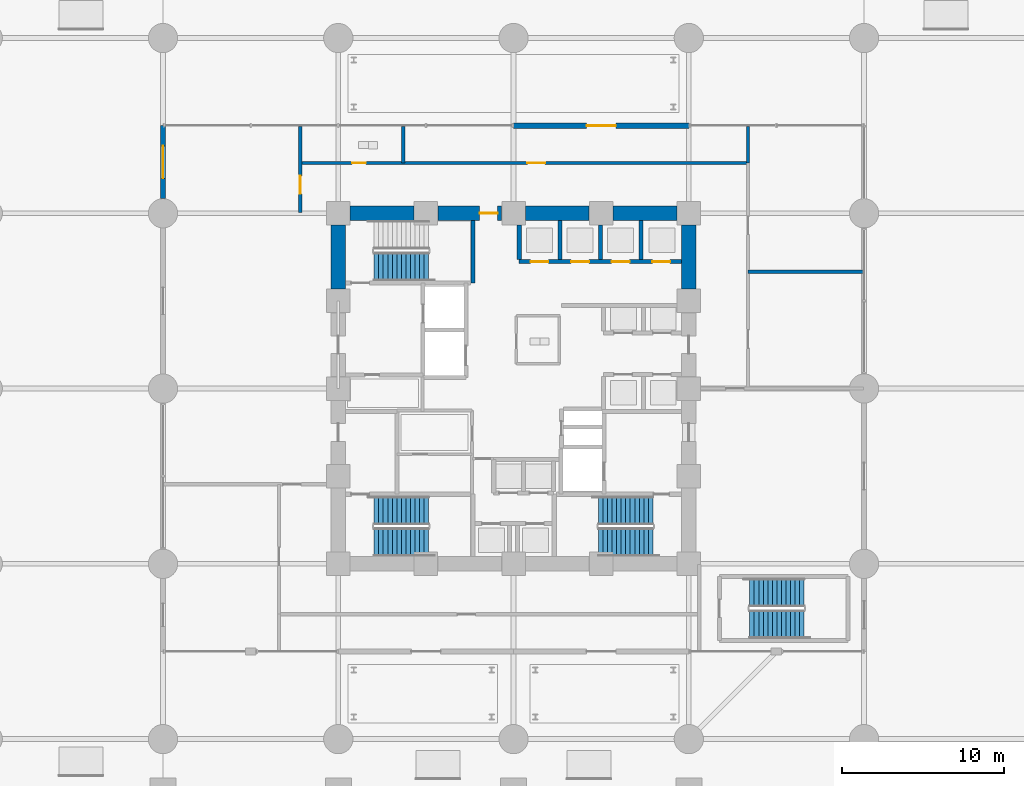
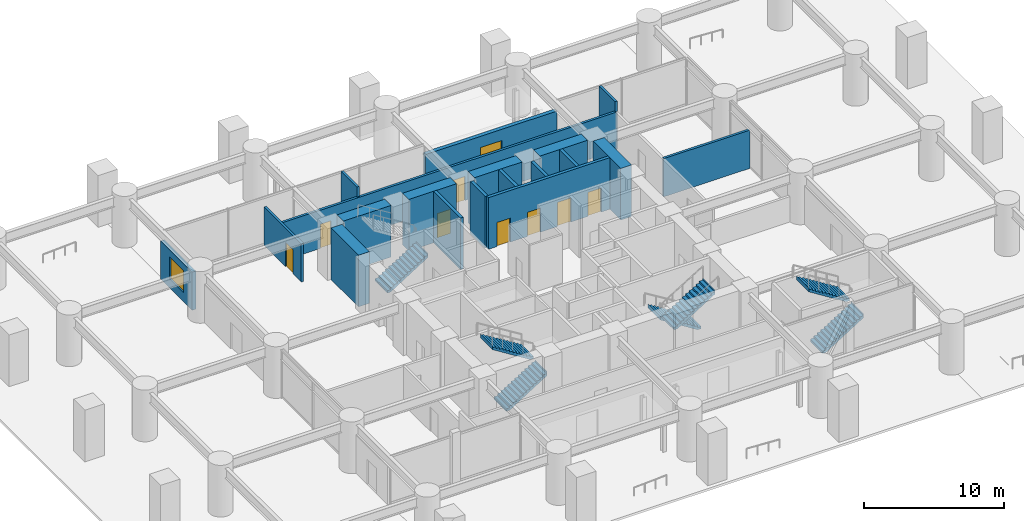
# One storey, part 21 of 29: 19 walls, 9 doors, 7 stair flights, 1 window, 10 openings, 4 elements without a shape of their own.
"""IFC4 building model written with IfcOpenShell, lengths in metres."""

import ifcopenshell
import ifcopenshell.guid

model = None  # the IFC model being written
_history = None  # IfcOwnerHistory: only IFC2X3 demands one
_inside = {}  # id of a spatial element -> (the spatial element, [elements in it])
_under = {}  # id of a project, library or spatial element -> (it, [spatial elements below it])
_declared = {}  # id of a project -> (the project, [libraries it declares])
_typed = {}  # id of a type object -> (the type object, [elements of that type])
_made_of = {}  # id of a material, layer set ... -> (it, [elements and type objects made of it])


def new_model(schema):
    """Start an empty IFC model of exactly this schema.

    Asked for "IFC4X3", IfcOpenShell would pick the latest addendum, in which some entities
    have other attributes; the version numbers below select the first issue.
    IFC2X3 requires an IfcOwnerHistory on every rooted entity: one is made here for all.
    """
    global model, _history
    if schema == "IFC4X3":
        model = ifcopenshell.file(schema_version=(4, 3, 0, 0))
    else:
        model = ifcopenshell.file(schema=schema)
    _inside.clear()
    _under.clear()
    _declared.clear()
    _typed.clear()
    _made_of.clear()
    _history = None
    if model.schema == "IFC2X3":
        org = make("IfcOrganization", Name="unknown")
        user = make(
            "IfcPersonAndOrganization",
            ThePerson=make("IfcPerson", FamilyName="unknown"),
            TheOrganization=org,
        )
        app = make(
            "IfcApplication",
            ApplicationDeveloper=org,
            Version="unknown",
            ApplicationFullName="unknown",
            ApplicationIdentifier="unknown",
        )
        _history = make(
            "IfcOwnerHistory",
            OwningUser=user,
            OwningApplication=app,
            ChangeAction="ADDED",
            CreationDate=0,
        )
    return model


def make(cls, **values):
    """One entity of the class cls with the attributes given. An attribute that is None is left unset."""
    return model.create_entity(
        cls, **{name: value for name, value in values.items() if value is not None}
    )


def rooted(cls, **values):
    """An entity with a GlobalId (a new one), such as an element, a storey or a relation."""
    return make(cls, GlobalId=ifcopenshell.guid.new(), OwnerHistory=_history, **values)


def si_unit(unit_type, name, prefix=None):
    """IfcSIUnit, for example si_unit("LENGTHUNIT", "METRE", prefix="MILLI")."""
    return make("IfcSIUnit", UnitType=unit_type, Prefix=prefix, Name=name)


def assignment(units):
    """IfcUnitAssignment: the units of a project."""
    return None if units is None else make("IfcUnitAssignment", Units=units)


def point(xyz):
    """IfcCartesianPoint."""
    return None if xyz is None else make("IfcCartesianPoint", Coordinates=xyz)


def direction(xyz):
    """IfcDirection."""
    return None if xyz is None else make("IfcDirection", DirectionRatios=xyz)


def frame(location, z_axis=None, x_axis=None):
    """IfcAxis2Placement3D, a coordinate frame: its origin and axes. An axis left out is left unset."""
    return make(
        "IfcAxis2Placement3D",
        Location=point(location),
        Axis=direction(z_axis),
        RefDirection=direction(x_axis),
    )


def frame_2d(location, x_axis=None):
    """IfcAxis2Placement2D, a coordinate frame in the plane: its origin and x axis."""
    return make(
        "IfcAxis2Placement2D", Location=point(location), RefDirection=direction(x_axis)
    )


def origin():
    """The frame at (0, 0, 0) with its axes left unset."""
    return frame((0.0, 0.0, 0.0))


def place(relative_to, where):
    """IfcLocalPlacement: puts the frame where relative to a parent placement (None: the world)."""
    return make(
        "IfcLocalPlacement", PlacementRelTo=relative_to, RelativePlacement=where
    )


def context(
    kind, dimensions, precision=None, world=None, true_north=None, identifier=None
):
    """IfcGeometricRepresentationContext, for example the 3D "Model" context."""
    return make(
        "IfcGeometricRepresentationContext",
        ContextIdentifier=identifier,
        ContextType=kind,
        CoordinateSpaceDimension=dimensions,
        Precision=precision,
        WorldCoordinateSystem=world,
        TrueNorth=true_north,
    )


def subcontext(parent, identifier, kind, view, scale=None):
    """IfcGeometricRepresentationSubContext, for example "Body" below "Model"."""
    return make(
        "IfcGeometricRepresentationSubContext",
        ContextIdentifier=identifier,
        ContextType=kind,
        ParentContext=parent,
        TargetScale=scale,
        TargetView=view,
    )


def project(units=None, contexts=None):
    """IfcProject with its units and contexts."""
    return rooted(
        "IfcProject",
        Name="project",
        RepresentationContexts=contexts,
        UnitsInContext=assignment(units),
    )


def spatial(cls, under=None, at=None, **own):
    """A site, building, storey or space (cls), placed at a placement, below another one or the project."""
    s = rooted(cls, ObjectPlacement=at, **own)
    if under is not None:
        _under.setdefault(under.id(), (under, []))[1].append(s)
    return s


def polyline(points):
    """IfcPolyline through the points."""
    return make("IfcPolyline", Points=[point(p) for p in points])


def profile(cls, at=None, kind="AREA", **sizes):
    """A parametric profile (cls). Its sizes go by their IFC names, for example OverallWidth=200.0."""
    return make(cls, ProfileType=kind, Position=at, **sizes)


def rectangle(**sizes):
    """IfcRectangleProfileDef."""
    return profile("IfcRectangleProfileDef", **sizes)


def outline(outer, holes=None, kind="AREA"):
    """IfcArbitraryClosedProfileDef: a profile drawn as a closed curve; with holes, ...WithVoids."""
    if holes is None:
        return make("IfcArbitraryClosedProfileDef", ProfileType=kind, OuterCurve=outer)
    return make(
        "IfcArbitraryProfileDefWithVoids",
        ProfileType=kind,
        OuterCurve=outer,
        InnerCurves=holes,
    )


def extrude(swept, where, along, depth):
    """IfcExtrudedAreaSolid: the profile swept, set in the frame where, extruded along a direction by depth."""
    return make(
        "IfcExtrudedAreaSolid",
        SweptArea=swept,
        Position=where,
        ExtrudedDirection=direction(along),
        Depth=depth,
    )


def shape(context_of_items, identifier, shape_type, items):
    """IfcShapeRepresentation: the items that make up one representation, for example the "Body"."""
    return make(
        "IfcShapeRepresentation",
        ContextOfItems=context_of_items,
        RepresentationIdentifier=identifier,
        RepresentationType=shape_type,
        Items=items,
    )


def material(Name=None, Category=None):
    """IfcMaterial."""
    return make("IfcMaterial", Name=Name, Category=Category)


def layer(
    of_material, thickness, ventilated=None, Name=None, Category=None, Priority=None
):
    """IfcMaterialLayer: one layer of a wall or slab, of a material (None: an air gap)."""
    return make(
        "IfcMaterialLayer",
        Material=of_material,
        LayerThickness=thickness,
        IsVentilated=ventilated,
        Name=Name,
        Category=Category,
        Priority=Priority,
    )


def layer_set(layers, Name=None):
    """IfcMaterialLayerSet."""
    return make("IfcMaterialLayerSet", MaterialLayers=layers, LayerSetName=Name)


def made_of(thing, what):
    """Note that an element or type object is made of a material, layer set ...; save() writes the relation."""
    if what is not None:
        _made_of.setdefault(what.id(), (what, []))[1].append(thing)
    return thing


def type_object(cls, material=None, **own):
    """A type object (cls), such as IfcWallType, which elements share."""
    return made_of(rooted(cls, **own), material)


def element(
    cls,
    number,
    at=None,
    inside=None,
    cuts=None,
    type_object=None,
    material=None,
    context=None,
    identifier="Body",
    shape_type=None,
    held_by="IfcProductDefinitionShape",
    body=None,
    shapes=None,
    **own,
):
    """One element of the class cls, such as IfcWall. Its Tag is "e" and its number.

    at: its placement. inside: the storey or other place that contains it. cuts: it is an
    opening in that element (IfcRelVoidsElement). A single representation is given by context,
    identifier, shape_type and body (its items); several are given by shapes. held_by: the class
    of the entity that holds the representations. save() writes the other relations.
    """
    e = rooted(cls, Tag="e%d" % number, ObjectPlacement=at, **own)
    if body is not None:
        shapes = [shape(context, identifier, shape_type, body)]
    if shapes is not None:
        e.Representation = make(held_by, Representations=shapes)
    if inside is not None:
        _inside.setdefault(inside.id(), (inside, []))[1].append(e)
    if cuts is not None:
        rooted(
            "IfcRelVoidsElement", RelatingBuildingElement=cuts, RelatedOpeningElement=e
        )
    if type_object is not None:
        _typed.setdefault(type_object.id(), (type_object, []))[1].append(e)
    return made_of(e, material)


def fill(opening, filler):
    """IfcRelFillsElement: the door or window that sits in an opening."""
    return rooted(
        "IfcRelFillsElement",
        RelatingOpeningElement=opening,
        RelatedBuildingElement=filler,
    )


def aggregate(whole, parts):
    """IfcRelAggregates: a whole, such as a stair, and the parts it consists of."""
    return rooted("IfcRelAggregates", RelatingObject=whole, RelatedObjects=parts)


def save(model, path):
    """Write the relations noted so far, then the file.

    IfcRelAggregates (storeys below a building ...), IfcRelContainedInSpatialStructure (elements
    in a storey), IfcRelDefinesByType, IfcRelAssociatesMaterial and IfcRelDeclares: one each for
    every whole, place, type object, material and project.
    """
    for whole, parts in _under.values():
        aggregate(whole, parts)
    for where, things in _inside.values():
        rooted(
            "IfcRelContainedInSpatialStructure",
            RelatedElements=things,
            RelatingStructure=where,
        )
    for kind, things in _typed.values():
        rooted("IfcRelDefinesByType", RelatedObjects=things, RelatingType=kind)
    for what, things in _made_of.values():
        rooted("IfcRelAssociatesMaterial", RelatedObjects=things, RelatingMaterial=what)
    for by, libraries in _declared.values():
        rooted("IfcRelDeclares", RelatingContext=by, RelatedDefinitions=libraries)
    model.write(path)


model = new_model("IFC4")

# Units and contexts
model_context = context("Model", 3, precision=1e-05, world=origin(), true_north=direction((0.0, 1.0)))
body_context = subcontext(model_context, "Body", "Model", "MODEL_VIEW")
ifc_project = project(units=[si_unit("LENGTHUNIT", "METRE"), si_unit("AREAUNIT", "SQUARE_METRE"), si_unit("VOLUMEUNIT", "CUBIC_METRE"), si_unit("PLANEANGLEUNIT", "RADIAN"), si_unit("MASSUNIT", "GRAM", prefix="KILO")], contexts=[model_context])

# Site, building, storey
site_placement = place(None, origin())
site = spatial("IfcSite", under=ifc_project, at=site_placement, CompositionType="ELEMENT")
building_placement = place(site_placement, origin())
building = spatial("IfcBuilding", under=site, at=building_placement, Name="Surkhivell Harbour Commons", CompositionType="ELEMENT")
storey_placement = place(building_placement, origin())
storey = spatial("IfcBuildingStorey", under=building, at=storey_placement, Name="L00", CompositionType="ELEMENT", Elevation=0.0)

# Wall
ifc_material_1 = material(Name="Concrete C80/95", Category="concrete")
ifc_layer_1 = layer(ifc_material_1, 0.89990234375)
ifc_layer_set_1 = layer_set([ifc_layer_1], Name="Concrete C80/95")
wall_type_1 = type_object("IfcWallType", Name="WAL-CORE-900", PredefinedType="SHEAR", material=ifc_layer_set_1)
wall_1_placement = place(storey_placement, frame((-10.06494140625, 10.800048828125, 0.0), z_axis=(0.0, 0.0, 1.0), x_axis=(1.0, 0.0, 0.0)))
element("IfcWall", 1, at=wall_1_placement, inside=storey, type_object=wall_type_1, Name="L00 Core Shear Wall North 1", PredefinedType="SHEAR", context=body_context, shape_type="SweptSolid", body=[
    extrude(rectangle(XDim=3.929931640625, YDim=0.89990234375, at=frame_2d((1.96484375, 0.0))), origin(), (0.0, 0.0, 1.0), 4.5),
])

# Wall, opening, door
wall_2_placement = place(storey_placement, frame((-4.6650390625, 10.800048828125, 0.0), z_axis=(0.0, 0.0, 1.0), x_axis=(1.0, 0.0, 0.0)))
wall_2 = element("IfcWall", 2, at=wall_2_placement, inside=storey, type_object=wall_type_1, Name="L00 Core Shear Wall North 2", PredefinedType="SHEAR", context=body_context, shape_type="SweptSolid", body=[
    extrude(rectangle(XDim=3.929931640625, YDim=0.89990234375, at=frame_2d((1.96484375, 0.0))), origin(), (0.0, 0.0, 1.0), 4.5),
])
opening_1_placement = place(wall_2_placement, frame((2.580078125, 0.0, 0.0)))
opening_1 = element("IfcOpeningElement", 3, at=opening_1_placement, cuts=wall_2, Name="Opening ID-2", PredefinedType="OPENING", context=body_context, shape_type="SweptSolid", body=[
    extrude(rectangle(XDim=1.10009765625, YDim=2.10009765625, at=frame_2d((0.550048828125, 1.050048828125))), frame((0.0, 0.4599609375, 0.0), z_axis=(0.0, -1.0, 0.0), x_axis=(1.0, 0.0, 0.0)), (0.0, 0.0, 1.0), 0.919921875),
])
ifc_material_2 = material(Name="Hardwood-veneered fire-rated door leaf", Category="wood")
door_type_1 = type_object("IfcDoorType", Name="DOR-FD60-1100", OperationType="NOTDEFINED", PredefinedType="DOOR", material=ifc_material_2)
door_1_placement = place(opening_1_placement, origin())
door_1 = element("IfcDoor", 4, at=door_1_placement, inside=storey, type_object=door_type_1, Name="L00 Central Core Lift Hall North Corridor Door", OperationType="SINGLE_SWING_LEFT", OverallHeight=2.10009765625, OverallWidth=1.10009765625, PredefinedType="DOOR", context=body_context, shape_type="SweptSolid", body=[
    extrude(rectangle(XDim=1.10009765625, YDim=2.10009765625, at=frame_2d((0.550048828125, 1.050048828125))), frame((0.0, 0.02490234375, 0.0), z_axis=(0.0, -1.0, 0.0), x_axis=(1.0, 0.0, 0.0)), (0.0, 0.0, 1.0), 0.050048828125),
])
fill(opening_1, door_1)

# Walls
for number, where, z_axis, x_axis, name in (
    (5, (0.735107421875, 10.800048828125, 0.0), (0.0, 0.0, 1.0), (1.0, 0.0, 0.0), "L00 Core Shear Wall North 3"),
    (6, (6.135009765625, 10.800048828125, 0.0), (0.0, 0.0, 1.0), (1.0, 0.0, 0.0), "L00 Core Shear Wall North 4"),
    (7, (-10.800048828125, 6.135009765625, 0.0), (0.0, 0.0, 1.0), (0.0, 1.0, 0.0), "L00 Core Shear Wall West 4"),
    (8, (10.800048828125, 6.135009765625, 0.0), (0.0, 0.0, 1.0), (0.0, 1.0, 0.0), "L00 Core Shear Wall East 4"),
):
    element("IfcWall", number, at=place(storey_placement, frame(where, z_axis=z_axis, x_axis=x_axis)), inside=storey, type_object=wall_type_1, Name=name, PredefinedType="SHEAR", context=body_context, shape_type="SweptSolid", body=[
        extrude(rectangle(XDim=3.929931640625, YDim=0.89990234375, at=frame_2d((1.96484375, 0.0))), origin(), (0.0, 0.0, 1.0), 4.5),
    ])

# Wall, opening, window
ifc_material_3 = material(Name="Flemish-bond kiln brick and precast concrete C45/55", Category="masonry")
ifc_layer_2 = layer(ifc_material_3, 0.300048828125)
ifc_layer_set_2 = layer_set([ifc_layer_2], Name="Flemish-bond kiln brick and precast concrete C45/55")
wall_type_2 = type_object("IfcWallType", Name="WAL-EXT-BRK300", PredefinedType="STANDARD", material=ifc_layer_set_2)
wall_3_placement = place(storey_placement, frame((-21.60009765625, 11.697998046875, 0.0), z_axis=(0.0, 0.0, 1.0), x_axis=(0.0, 1.0, 0.0)))
wall_3 = element("IfcWall", 9, at=wall_3_placement, inside=storey, type_object=wall_type_2, Name="L00 Corner Brick Pier Wall WW1", PredefinedType="STANDARD", context=body_context, shape_type="SweptSolid", body=[
    extrude(rectangle(XDim=4.501953125, YDim=0.300048828125, at=frame_2d((2.2509765625, 0.0))), origin(), (0.0, 0.0, 1.0), 3.3291015625),
])
opening_2_placement = place(wall_3_placement, frame((1.2509765625, 0.0, 0.800048828125)))
opening_2 = element("IfcOpeningElement", 10, at=opening_2_placement, cuts=wall_3, Name="Opening WN-06", PredefinedType="OPENING", context=body_context, shape_type="SweptSolid", body=[
    extrude(rectangle(XDim=2.0, YDim=1.89990234375, at=frame_2d((1.0, 0.949951171875))), frame((0.0, 0.159912109375, 0.0), z_axis=(0.0, -1.0, 0.0), x_axis=(1.0, 0.0, 0.0)), (0.0, 0.0, 1.0), 0.320068359375),
])
ifc_material_4 = material(Name="Thermal-break aluminium frame and double low-E glazing", Category="aluminium")
window_type = type_object("IfcWindowType", Name="WIN-CON-2000x1900", PartitioningType="DOUBLE_PANEL_VERTICAL", PredefinedType="WINDOW", material=ifc_material_4)
window_placement = place(opening_2_placement, origin())
window = element("IfcWindow", 11, at=window_placement, inside=storey, type_object=window_type, Name="L00 Concourse Window WW1", OverallHeight=1.89990234375, OverallWidth=2.0, PartitioningType="SINGLE_PANEL", PredefinedType="WINDOW", context=body_context, shape_type="SweptSolid", body=[
    extrude(rectangle(XDim=2.0, YDim=1.89990234375, at=frame_2d((1.0, 0.949951171875))), frame((0.0, 0.030029296875, 0.0), z_axis=(0.0, -1.0, 0.0), x_axis=(1.0, 0.0, 0.0)), (0.0, 0.0, 1.0), 0.06005859375),
])
fill(opening_2, window)

# Wall, opening, door
ifc_material_5 = material(Name="Kiln-fired surkhi brick and precast concrete C45/55", Category="masonry")
ifc_layer_3 = layer(ifc_material_5, 0.320068359375)
ifc_layer_set_3 = layer_set([ifc_layer_3], Name="Kiln-fired surkhi brick and precast concrete C45/55")
wall_type_3 = type_object("IfcWallType", Name="WAL-EXT-BRK320", PredefinedType="STANDARD", material=ifc_layer_set_3)
wall_4_placement = place(storey_placement, frame((0.0, 16.199951171875, 0.0), z_axis=(0.0, 0.0, 1.0), x_axis=(1.0, 0.0, 0.0)))
wall_4 = element("IfcWall", 12, at=wall_4_placement, inside=storey, type_object=wall_type_3, Name="L00 Concourse Brick Facade Wall L00-EXN1", PredefinedType="STANDARD", context=body_context, shape_type="SweptSolid", body=[
    extrude(rectangle(XDim=10.800048828125, YDim=0.320068359375, at=frame_2d((5.39990234375, 0.0))), origin(), (0.0, 0.0, 1.0), 3.3291015625),
])
opening_3_placement = place(wall_4_placement, frame((4.5, 0.0, 0.0)))
opening_3 = element("IfcOpeningElement", 13, at=opening_3_placement, cuts=wall_4, Name="Opening ED-1", PredefinedType="OPENING", context=body_context, shape_type="SweptSolid", body=[
    extrude(rectangle(XDim=1.800048828125, YDim=2.35009765625, at=frame_2d((0.89990234375, 1.175048828125))), frame((0.0, 0.169921875, 0.0), z_axis=(0.0, -1.0, 0.0), x_axis=(1.0, 0.0, 0.0)), (0.0, 0.0, 1.0), 0.340087890625),
])
ifc_material_6 = material(Name="Anodised pale-metal aluminium and laminated safety glass", Category="aluminium")
door_type_2 = type_object("IfcDoorType", Name="DOR-EXT-EXIT1800", OperationType="DOUBLE_DOOR_SINGLE_SWING", PredefinedType="DOOR", material=ifc_material_6)
door_2_placement = place(opening_3_placement, origin())
door_2 = element("IfcDoor", 14, at=door_2_placement, inside=storey, type_object=door_type_2, Name="L00 North Promenade Final Exit Door", OperationType="DOUBLE_DOOR_SINGLE_SWING", OverallHeight=2.35009765625, OverallWidth=1.800048828125, PredefinedType="DOOR", context=body_context, shape_type="SweptSolid", body=[
    extrude(rectangle(XDim=1.800048828125, YDim=2.35009765625, at=frame_2d((0.89990234375, 1.175048828125))), frame((0.0, 0.02490234375, 0.0), z_axis=(0.0, -1.0, 0.0), x_axis=(1.0, 0.0, 0.0)), (0.0, 0.0, 1.0), 0.050048828125),
])
fill(opening_3, door_2)

# Wall
ifc_material_7 = material(Name="Autoclaved aerated concrete blockwork and fire plaster", Category="masonry")
ifc_layer_4 = layer(ifc_material_7, 0.199951171875)
ifc_layer_set_4 = layer_set([ifc_layer_4], Name="Autoclaved aerated concrete blockwork and fire plaster")
wall_type_4 = type_object("IfcWallType", Name="WAL-INT-200", PredefinedType="PARTITIONING", material=ifc_layer_set_4)
wall_5_placement = place(storey_placement, frame((14.449951171875, 7.199951171875, 0.0), z_axis=(0.0, 0.0, 1.0), x_axis=(1.0, 0.0, 0.0)))
element("IfcWall", 15, at=wall_5_placement, inside=storey, type_object=wall_type_4, Name="L00 FCC/Concierge Divider", PredefinedType="PARTITIONING", context=body_context, shape_type="SweptSolid", body=[
    extrude(rectangle(XDim=7.110107421875, YDim=0.199951171875, at=frame_2d((3.55517578125, 0.0))), origin(), (0.0, 0.0, 1.0), 3.3291015625),
])

# Wall, opening, door
wall_6_placement = place(storey_placement, frame((-13.14990234375, 10.85009765625, 0.0), z_axis=(0.0, 0.0, 1.0), x_axis=(0.0, 1.0, 0.0)))
wall_6 = element("IfcWall", 16, at=wall_6_placement, inside=storey, type_object=wall_type_4, Name="L00 West Protected Exit Passage East Wall", PredefinedType="PARTITIONING", context=body_context, shape_type="SweptSolid", body=[
    extrude(rectangle(XDim=5.309814453125, YDim=0.199951171875, at=frame_2d((2.65478515625, 0.0))), origin(), (0.0, 0.0, 1.0), 3.3291015625),
])
opening_4_placement = place(wall_6_placement, frame((1.14990234375, 0.0, 0.0)))
opening_4 = element("IfcOpeningElement", 17, at=opening_4_placement, cuts=wall_6, Name="Opening ID-2", PredefinedType="OPENING", context=body_context, shape_type="SweptSolid", body=[
    extrude(rectangle(XDim=1.10009765625, YDim=2.10009765625, at=frame_2d((0.550048828125, 1.050048828125))), frame((0.0, 0.10986328125, 0.0), z_axis=(0.0, -1.0, 0.0), x_axis=(1.0, 0.0, 0.0)), (0.0, 0.0, 1.0), 0.219970703125),
])
door_3_placement = place(opening_4_placement, origin())
door_3 = element("IfcDoor", 18, at=door_3_placement, inside=storey, type_object=door_type_1, Name="L00 West Exit Passage North Cross Door", OperationType="SINGLE_SWING_RIGHT", OverallHeight=2.10009765625, OverallWidth=1.10009765625, PredefinedType="DOOR", context=body_context, shape_type="SweptSolid", body=[
    extrude(rectangle(XDim=1.10009765625, YDim=2.10009765625, at=frame_2d((0.550048828125, 1.050048828125))), frame((0.0, 0.02490234375, 0.0), z_axis=(0.0, -1.0, 0.0), x_axis=(1.0, 0.0, 0.0)), (0.0, 0.0, 1.0), 0.050048828125),
])
fill(opening_4, door_3)

# Walls
for number, where, z_axis, x_axis, name in (
    (19, (-6.800048828125, 13.89990234375, 0.0), (0.0, 0.0, 1.0), (0.0, 1.0, 0.0), "L00 Ground WC East Wall"),
    (20, (14.449951171875, 13.89990234375, 0.0), (0.0, 0.0, 1.0), (0.0, 1.0, 0.0), "L00 Ground NE Corner Wall"),
):
    element("IfcWall", number, at=place(storey_placement, frame(where, z_axis=z_axis, x_axis=x_axis)), inside=storey, type_object=wall_type_4, Name=name, PredefinedType="PARTITIONING", context=body_context, shape_type="SweptSolid", body=[
        extrude(rectangle(XDim=2.260009765625, YDim=0.199951171875, at=frame_2d((1.1298828125, 0.0))), origin(), (0.0, 0.0, 1.0), 4.199951171875),
    ])

# Wall, openings, doors
wall_7_placement = place(storey_placement, frame((-13.14990234375, 13.89990234375, 0.0), z_axis=(0.0, 0.0, 1.0), x_axis=(1.0, 0.0, 0.0)))
wall_7 = element("IfcWall", 21, at=wall_7_placement, inside=storey, type_object=wall_type_4, Name="L00 Concourse North Wall", PredefinedType="PARTITIONING", context=body_context, shape_type="SweptSolid", body=[
    extrude(rectangle(XDim=27.599853515625, YDim=0.199951171875, at=frame_2d((13.7998046875, 0.0))), origin(), (0.0, 0.0, 1.0), 3.3291015625),
])
opening_5_placement = place(wall_7_placement, frame((3.199951171875, 0.0, 0.0)))
opening_5 = element("IfcOpeningElement", 22, at=opening_5_placement, cuts=wall_7, Name="Opening ID-6", PredefinedType="OPENING", context=body_context, shape_type="SweptSolid", body=[
    extrude(rectangle(XDim=0.85009765625, YDim=2.10009765625, at=frame_2d((0.425048828125, 1.050048828125))), frame((0.0, 0.10986328125, 0.0), z_axis=(0.0, -1.0, 0.0), x_axis=(1.0, 0.0, 0.0)), (0.0, 0.0, 1.0), 0.219970703125),
])
opening_6_placement = place(wall_7_placement, frame((14.0, 0.0, 0.0)))
opening_6 = element("IfcOpeningElement", 23, at=opening_6_placement, cuts=wall_7, Name="Opening ID-2", PredefinedType="OPENING", context=body_context, shape_type="SweptSolid", body=[
    extrude(rectangle(XDim=1.10009765625, YDim=2.10009765625, at=frame_2d((0.550048828125, 1.050048828125))), frame((0.0, 0.10986328125, 0.0), z_axis=(0.0, -1.0, 0.0), x_axis=(1.0, 0.0, 0.0)), (0.0, 0.0, 1.0), 0.219970703125),
])
door_type_3 = type_object("IfcDoorType", Name="DOR-FD30-850", OperationType="NOTDEFINED", PredefinedType="DOOR", material=ifc_material_2)
door_4_placement = place(opening_5_placement, origin())
door_4 = element("IfcDoor", 24, at=door_4_placement, inside=storey, type_object=door_type_3, Name="L00 Ground Floor Accessible WC Door", OperationType="SINGLE_SWING_RIGHT", OverallHeight=2.10009765625, OverallWidth=0.85009765625, PredefinedType="DOOR", context=body_context, shape_type="SweptSolid", body=[
    extrude(rectangle(XDim=0.85009765625, YDim=2.10009765625, at=frame_2d((0.425048828125, 1.050048828125))), frame((0.0, 0.02490234375, 0.0), z_axis=(0.0, -1.0, 0.0), x_axis=(1.0, 0.0, 0.0)), (0.0, 0.0, 1.0), 0.050048828125),
])
fill(opening_5, door_4)
door_5_placement = place(opening_6_placement, origin())
door_5 = element("IfcDoor", 25, at=door_5_placement, inside=storey, type_object=door_type_1, Name="L00 Arrival Waiting Lounge Door", OperationType="SINGLE_SWING_LEFT", OverallHeight=2.10009765625, OverallWidth=1.10009765625, PredefinedType="DOOR", context=body_context, shape_type="SweptSolid", body=[
    extrude(rectangle(XDim=1.10009765625, YDim=2.10009765625, at=frame_2d((0.550048828125, 1.050048828125))), frame((0.0, 0.02490234375, 0.0), z_axis=(0.0, -1.0, 0.0), x_axis=(1.0, 0.0, 0.0)), (0.0, 0.0, 1.0), 0.050048828125),
])
fill(opening_6, door_5)

# Walls
ifc_material_8 = material(Name="Concrete C50/60", Category="concrete")
ifc_layer_5 = layer(ifc_material_8, 0.25)
ifc_layer_set_5 = layer_set([ifc_layer_5], Name="Concrete C50/60")
wall_type_5 = type_object("IfcWallType", Name="WAL-SHAFT-250", PredefinedType="SHEAR", material=ifc_layer_set_5)
wall_8_placement = place(storey_placement, frame((2.85009765625, 7.93994140625, 0.0), z_axis=(0.0, 0.0, 1.0), x_axis=(0.0, 1.0, 0.0)))
element("IfcWall", 26, at=wall_8_placement, inside=storey, type_object=wall_type_5, Name="L00 Low-Rise Hoistway Wall", PredefinedType="SHEAR", context=body_context, shape_type="SweptSolid", body=[
    extrude(rectangle(XDim=2.41015625, YDim=0.25, at=frame_2d((1.205078125, 0.0))), origin(), (0.0, 0.0, 1.0), 4.5),
])
for number, where, z_axis, x_axis, name in (
    (27, (0.35009765625, 7.93994140625, 0.0), (0.0, 0.0, 1.0), (0.0, 1.0, 0.0), "L00 Low-Rise Hoistway Wall"),
    (28, (5.35009765625, 7.93994140625, 0.0), (0.0, 0.0, 1.0), (0.0, 1.0, 0.0), "L00 Low-Rise Hoistway Wall"),
):
    element("IfcWall", number, at=place(storey_placement, frame(where, z_axis=z_axis, x_axis=x_axis)), inside=storey, type_object=wall_type_5, Name=name, PredefinedType="SHEAR", context=body_context, shape_type="SweptSolid", body=[
        extrude(rectangle(XDim=2.135009765625, YDim=0.25, at=frame_2d((1.0673828125, 0.0))), origin(), (0.0, 0.0, 1.0), 4.5),
    ])
wall_9_placement = place(storey_placement, frame((7.85009765625, 7.93994140625, 0.0), z_axis=(0.0, 0.0, 1.0), x_axis=(0.0, 1.0, 0.0)))
element("IfcWall", 29, at=wall_9_placement, inside=storey, type_object=wall_type_5, Name="L00 Low-Rise Hoistway Wall", PredefinedType="SHEAR", context=body_context, shape_type="SweptSolid", body=[
    extrude(rectangle(XDim=2.41015625, YDim=0.25, at=frame_2d((1.205078125, 0.0))), origin(), (0.0, 0.0, 1.0), 4.5),
])

# Wall, openings, doors
wall_10_placement = place(storey_placement, frame((0.35009765625, 7.820068359375, 0.0), z_axis=(0.0, 0.0, 1.0), x_axis=(1.0, 0.0, 0.0)))
wall_10 = element("IfcWall", 30, at=wall_10_placement, inside=storey, type_object=wall_type_5, Name="L00 Low-Rise Lift Front Shaft Wall", PredefinedType="SHEAR", context=body_context, shape_type="SweptSolid", body=[
    extrude(rectangle(XDim=10.0, YDim=0.25, at=frame_2d((5.0, 0.0))), origin(), (0.0, 0.0, 1.0), 4.5),
])
opening_7_placement = place(wall_10_placement, frame((0.699951171875, 0.0, 0.0)))
opening_7 = element("IfcOpeningElement", 31, at=opening_7_placement, cuts=wall_10, Name="Opening LD-1", PredefinedType="OPENING", context=body_context, shape_type="SweptSolid", body=[
    extrude(rectangle(XDim=1.10009765625, YDim=2.10009765625, at=frame_2d((0.550048828125, 1.050048828125))), frame((0.0, 0.135009765625, 0.0), z_axis=(0.0, -1.0, 0.0), x_axis=(1.0, 0.0, 0.0)), (0.0, 0.0, 1.0), 0.27001953125),
])
opening_8_placement = place(wall_10_placement, frame((3.199951171875, 0.0, 0.0)))
opening_8 = element("IfcOpeningElement", 32, at=opening_8_placement, cuts=wall_10, Name="Opening LD-1", PredefinedType="OPENING", context=body_context, shape_type="SweptSolid", body=[
    extrude(rectangle(XDim=1.10009765625, YDim=2.10009765625, at=frame_2d((0.550048828125, 1.050048828125))), frame((0.0, 0.135009765625, 0.0), z_axis=(0.0, -1.0, 0.0), x_axis=(1.0, 0.0, 0.0)), (0.0, 0.0, 1.0), 0.27001953125),
])
opening_9_placement = place(wall_10_placement, frame((5.699951171875, 0.0, 0.0)))
opening_9 = element("IfcOpeningElement", 33, at=opening_9_placement, cuts=wall_10, Name="Opening LD-1", PredefinedType="OPENING", context=body_context, shape_type="SweptSolid", body=[
    extrude(rectangle(XDim=1.10009765625, YDim=2.10009765625, at=frame_2d((0.550048828125, 1.050048828125))), frame((0.0, 0.135009765625, 0.0), z_axis=(0.0, -1.0, 0.0), x_axis=(1.0, 0.0, 0.0)), (0.0, 0.0, 1.0), 0.27001953125),
])
opening_10_placement = place(wall_10_placement, frame((8.199951171875, 0.0, 0.0)))
opening_10 = element("IfcOpeningElement", 34, at=opening_10_placement, cuts=wall_10, Name="Opening LD-1", PredefinedType="OPENING", context=body_context, shape_type="SweptSolid", body=[
    extrude(rectangle(XDim=1.10009765625, YDim=2.10009765625, at=frame_2d((0.550048828125, 1.050048828125))), frame((0.0, 0.135009765625, 0.0), z_axis=(0.0, -1.0, 0.0), x_axis=(1.0, 0.0, 0.0)), (0.0, 0.0, 1.0), 0.27001953125),
])
ifc_material_9 = material(Name="Brushed stainless steel S355", Category="steel")
door_type_4 = type_object("IfcDoorType", Name="DOR-LD-1100", OperationType="SLIDING_TO_LEFT", PredefinedType="DOOR", material=ifc_material_9)
door_6_placement = place(opening_7_placement, origin())
door_6 = element("IfcDoor", 35, at=door_6_placement, inside=storey, type_object=door_type_4, Name="L00 Lift Landing Door LD-PL1", OperationType="SLIDING_TO_LEFT", OverallHeight=2.10009765625, OverallWidth=1.10009765625, PredefinedType="DOOR", context=body_context, shape_type="SweptSolid", body=[
    extrude(rectangle(XDim=1.10009765625, YDim=2.10009765625, at=frame_2d((0.550048828125, 1.050048828125))), frame((0.0, 0.02490234375, 0.0), z_axis=(0.0, -1.0, 0.0), x_axis=(1.0, 0.0, 0.0)), (0.0, 0.0, 1.0), 0.050048828125),
])
fill(opening_7, door_6)
door_7_placement = place(opening_8_placement, origin())
door_7 = element("IfcDoor", 36, at=door_7_placement, inside=storey, type_object=door_type_4, Name="L00 Lift Landing Door LD-PL2", OperationType="SLIDING_TO_LEFT", OverallHeight=2.10009765625, OverallWidth=1.10009765625, PredefinedType="DOOR", context=body_context, shape_type="SweptSolid", body=[
    extrude(rectangle(XDim=1.10009765625, YDim=2.10009765625, at=frame_2d((0.550048828125, 1.050048828125))), frame((0.0, 0.02490234375, 0.0), z_axis=(0.0, -1.0, 0.0), x_axis=(1.0, 0.0, 0.0)), (0.0, 0.0, 1.0), 0.050048828125),
])
fill(opening_8, door_7)
door_8_placement = place(opening_9_placement, origin())
door_8 = element("IfcDoor", 37, at=door_8_placement, inside=storey, type_object=door_type_4, Name="L00 Lift Landing Door LD-PL3", OperationType="SLIDING_TO_LEFT", OverallHeight=2.10009765625, OverallWidth=1.10009765625, PredefinedType="DOOR", context=body_context, shape_type="SweptSolid", body=[
    extrude(rectangle(XDim=1.10009765625, YDim=2.10009765625, at=frame_2d((0.550048828125, 1.050048828125))), frame((0.0, 0.02490234375, 0.0), z_axis=(0.0, -1.0, 0.0), x_axis=(1.0, 0.0, 0.0)), (0.0, 0.0, 1.0), 0.050048828125),
])
fill(opening_9, door_8)
door_9_placement = place(opening_10_placement, origin())
door_9 = element("IfcDoor", 38, at=door_9_placement, inside=storey, type_object=door_type_4, Name="L00 Lift Landing Door LD-PL4", OperationType="SLIDING_TO_LEFT", OverallHeight=2.10009765625, OverallWidth=1.10009765625, PredefinedType="DOOR", context=body_context, shape_type="SweptSolid", body=[
    extrude(rectangle(XDim=1.10009765625, YDim=2.10009765625, at=frame_2d((0.550048828125, 1.050048828125))), frame((0.0, 0.02490234375, 0.0), z_axis=(0.0, -1.0, 0.0), x_axis=(1.0, 0.0, 0.0)), (0.0, 0.0, 1.0), 0.050048828125),
])
fill(opening_10, door_9)

# Wall
wall_11_placement = place(storey_placement, frame((-2.510009765625, 6.510009765625, 0.0), z_axis=(0.0, 0.0, 1.0), x_axis=(0.0, 1.0, 0.0)))
element("IfcWall", 39, at=wall_11_placement, inside=storey, type_object=wall_type_5, Name="L00 Stair ST1 East Shear Wall", PredefinedType="SHEAR", context=body_context, shape_type="SweptSolid", body=[
    extrude(rectangle(XDim=3.840087890625, YDim=0.25, at=frame_2d((1.919921875, 0.0))), origin(), (0.0, 0.0, 1.0), 4.5),
])

# Stair, stair flight
ifc_material_10 = material(Name="Precast concrete C45/55", Category="concrete")
stair_type = type_object("IfcStairType", Name="STR-DL-450", PredefinedType="HALF_TURN_STAIR", material=ifc_material_10)
stair_1_placement = place(storey_placement, origin())
stair_1 = element("IfcStair", 40, at=stair_1_placement, inside=storey, type_object=stair_type, Name="L00 Core Exit Stair ST1", PredefinedType="HALF_TURN_STAIR")
stair_flight_type = type_object("IfcStairFlightType", Name="STF-DL-450", PredefinedType="STRAIGHT", material=ifc_material_10)
stair_flight_1_placement = place(storey_placement, frame((-8.590087890625, 7.514892578125, 0.0), z_axis=(0.0, 0.0, 1.0), x_axis=(1.0, 0.0, 0.0)))
stair_flight_1 = element("IfcStairFlight", 41, at=stair_flight_1_placement, type_object=stair_flight_type, Name="ST1 flight 1", NumberOfRisers=13, NumberOfTreads=12, PredefinedType="STRAIGHT", RiserHeight=0.173076923, TreadLength=0.28, context=body_context, shape_type="SweptSolid", body=[
    extrude(outline(polyline([(-0.0029296875, -0.034912109375), (-0.0029296875, 0.0), (0.0, 0.0), (0.0, 0.173095703125), (0.280029296875, 0.173095703125), (0.280029296875, 0.34619140625), (0.56005859375, 0.34619140625), (0.56005859375, 0.519287109375), (0.840087890625, 0.519287109375), (0.840087890625, 0.6923828125), (1.1201171875, 0.6923828125), (1.1201171875, 0.865478515625), (1.39990234375, 0.865478515625), (1.39990234375, 1.03857421875), (1.679931640625, 1.03857421875), (1.679931640625, 1.21142578125), (1.9599609375, 1.21142578125), (1.9599609375, 1.384521484375), (2.239990234375, 1.384521484375), (2.239990234375, 1.5576171875), (2.52001953125, 1.5576171875), (2.52001953125, 1.730712890625), (2.800048828125, 1.730712890625), (2.800048828125, 1.90380859375), (3.080078125, 1.90380859375), (3.080078125, 2.076904296875), (3.360107421875, 2.076904296875), (3.360107421875, 2.25), (3.363037109375, 2.25), (3.363037109375, 1.900634765625), (0.28515625, -0.034912109375), (-0.0029296875, -0.034912109375)])), frame((0.0, 0.875, 0.0), z_axis=(0.0, -1.0, 0.0), x_axis=(1.0, 0.0, 0.0)), (0.0, 0.0, 1.0), 1.75),
])
aggregate(stair_1, [stair_flight_1])

# Stair, stair flights
stair_2_placement = place(storey_placement, origin())
stair_2 = element("IfcStair", 42, at=stair_2_placement, inside=storey, type_object=stair_type, Name="L00 Core Exit Stair ST2", PredefinedType="HALF_TURN_STAIR")
stair_flight_2_placement = place(storey_placement, frame((8.590087890625, -7.514892578125, 0.0), z_axis=(0.0, 0.0, 1.0), x_axis=(-1.0, 0.0, 0.0)))
stair_flight_2 = element("IfcStairFlight", 43, at=stair_flight_2_placement, type_object=stair_flight_type, Name="ST2 flight 1", NumberOfRisers=13, NumberOfTreads=12, PredefinedType="STRAIGHT", RiserHeight=0.173076923, TreadLength=0.28, context=body_context, shape_type="SweptSolid", body=[
    extrude(outline(polyline([(-0.0029296875, -0.034912109375), (-0.0029296875, 0.0), (0.0, 0.0), (0.0, 0.173095703125), (0.280029296875, 0.173095703125), (0.280029296875, 0.34619140625), (0.56005859375, 0.34619140625), (0.56005859375, 0.519287109375), (0.840087890625, 0.519287109375), (0.840087890625, 0.6923828125), (1.1201171875, 0.6923828125), (1.1201171875, 0.865478515625), (1.39990234375, 0.865478515625), (1.39990234375, 1.03857421875), (1.679931640625, 1.03857421875), (1.679931640625, 1.21142578125), (1.9599609375, 1.21142578125), (1.9599609375, 1.384521484375), (2.239990234375, 1.384521484375), (2.239990234375, 1.5576171875), (2.52001953125, 1.5576171875), (2.52001953125, 1.730712890625), (2.800048828125, 1.730712890625), (2.800048828125, 1.90380859375), (3.080078125, 1.90380859375), (3.080078125, 2.076904296875), (3.360107421875, 2.076904296875), (3.360107421875, 2.25), (3.363037109375, 2.25), (3.363037109375, 1.900634765625), (0.28515625, -0.034912109375), (-0.0029296875, -0.034912109375)])), frame((0.0, 0.875, 0.0), z_axis=(0.0, -1.0, 0.0), x_axis=(1.0, 0.0, 0.0)), (0.0, 0.0, 1.0), 1.75),
])
stair_flight_3_placement = place(storey_placement, frame((5.22998046875, -9.465087890625, 2.25), z_axis=(0.0, 0.0, 1.0), x_axis=(1.0, 0.0, 0.0)))
stair_flight_3 = element("IfcStairFlight", 44, at=stair_flight_3_placement, type_object=stair_flight_type, Name="ST2 flight 2", NumberOfRisers=13, NumberOfTreads=12, PredefinedType="STRAIGHT", RiserHeight=0.173076923, TreadLength=0.28, context=body_context, shape_type="SweptSolid", body=[
    extrude(outline(polyline([(-0.0029296875, -0.034912109375), (-0.0029296875, 0.0), (0.0, 0.0), (0.0, 0.173095703125), (0.280029296875, 0.173095703125), (0.280029296875, 0.34619140625), (0.56005859375, 0.34619140625), (0.56005859375, 0.519287109375), (0.840087890625, 0.519287109375), (0.840087890625, 0.6923828125), (1.1201171875, 0.6923828125), (1.1201171875, 0.865478515625), (1.39990234375, 0.865478515625), (1.39990234375, 1.03857421875), (1.679931640625, 1.03857421875), (1.679931640625, 1.21142578125), (1.9599609375, 1.21142578125), (1.9599609375, 1.384521484375), (2.239990234375, 1.384521484375), (2.239990234375, 1.5576171875), (2.52001953125, 1.5576171875), (2.52001953125, 1.730712890625), (2.800048828125, 1.730712890625), (2.800048828125, 1.90380859375), (3.080078125, 1.90380859375), (3.080078125, 2.076904296875), (3.360107421875, 2.076904296875), (3.360107421875, 2.25), (3.363037109375, 2.25), (3.363037109375, 1.900634765625), (0.28515625, -0.034912109375), (-0.0029296875, -0.034912109375)])), frame((0.0, 0.875, 0.0), z_axis=(0.0, -1.0, 0.0), x_axis=(1.0, 0.0, 0.0)), (0.0, 0.0, 1.0), 1.75),
])
aggregate(stair_2, [stair_flight_2, stair_flight_3])

stair_3_placement = place(storey_placement, origin())
stair_3 = element("IfcStair", 45, at=stair_3_placement, inside=storey, type_object=stair_type, Name="L00 Core Exit Stair ST3", PredefinedType="HALF_TURN_STAIR")
stair_flight_4_placement = place(storey_placement, frame((-8.590087890625, -9.465087890625, 0.0), z_axis=(0.0, 0.0, 1.0), x_axis=(1.0, 0.0, 0.0)))
stair_flight_4 = element("IfcStairFlight", 46, at=stair_flight_4_placement, type_object=stair_flight_type, Name="ST3 flight 1", NumberOfRisers=13, NumberOfTreads=12, PredefinedType="STRAIGHT", RiserHeight=0.173076923, TreadLength=0.28, context=body_context, shape_type="SweptSolid", body=[
    extrude(outline(polyline([(-0.0029296875, -0.034912109375), (-0.0029296875, 0.0), (0.0, 0.0), (0.0, 0.173095703125), (0.280029296875, 0.173095703125), (0.280029296875, 0.34619140625), (0.56005859375, 0.34619140625), (0.56005859375, 0.519287109375), (0.840087890625, 0.519287109375), (0.840087890625, 0.6923828125), (1.1201171875, 0.6923828125), (1.1201171875, 0.865478515625), (1.39990234375, 0.865478515625), (1.39990234375, 1.03857421875), (1.679931640625, 1.03857421875), (1.679931640625, 1.21142578125), (1.9599609375, 1.21142578125), (1.9599609375, 1.384521484375), (2.239990234375, 1.384521484375), (2.239990234375, 1.5576171875), (2.52001953125, 1.5576171875), (2.52001953125, 1.730712890625), (2.800048828125, 1.730712890625), (2.800048828125, 1.90380859375), (3.080078125, 1.90380859375), (3.080078125, 2.076904296875), (3.360107421875, 2.076904296875), (3.360107421875, 2.25), (3.363037109375, 2.25), (3.363037109375, 1.900634765625), (0.28515625, -0.034912109375), (-0.0029296875, -0.034912109375)])), frame((0.0, 0.875, 0.0), z_axis=(0.0, -1.0, 0.0), x_axis=(1.0, 0.0, 0.0)), (0.0, 0.0, 1.0), 1.75),
])
stair_flight_5_placement = place(storey_placement, frame((-5.22998046875, -7.514892578125, 2.25), z_axis=(0.0, 0.0, 1.0), x_axis=(-1.0, 0.0, 0.0)))
stair_flight_5 = element("IfcStairFlight", 47, at=stair_flight_5_placement, type_object=stair_flight_type, Name="ST3 flight 2", NumberOfRisers=13, NumberOfTreads=12, PredefinedType="STRAIGHT", RiserHeight=0.173076923, TreadLength=0.28, context=body_context, shape_type="SweptSolid", body=[
    extrude(outline(polyline([(-0.0029296875, -0.034912109375), (-0.0029296875, 0.0), (0.0, 0.0), (0.0, 0.173095703125), (0.280029296875, 0.173095703125), (0.280029296875, 0.34619140625), (0.56005859375, 0.34619140625), (0.56005859375, 0.519287109375), (0.840087890625, 0.519287109375), (0.840087890625, 0.6923828125), (1.1201171875, 0.6923828125), (1.1201171875, 0.865478515625), (1.39990234375, 0.865478515625), (1.39990234375, 1.03857421875), (1.679931640625, 1.03857421875), (1.679931640625, 1.21142578125), (1.9599609375, 1.21142578125), (1.9599609375, 1.384521484375), (2.239990234375, 1.384521484375), (2.239990234375, 1.5576171875), (2.52001953125, 1.5576171875), (2.52001953125, 1.730712890625), (2.800048828125, 1.730712890625), (2.800048828125, 1.90380859375), (3.080078125, 1.90380859375), (3.080078125, 2.076904296875), (3.360107421875, 2.076904296875), (3.360107421875, 2.25), (3.363037109375, 2.25), (3.363037109375, 1.900634765625), (0.28515625, -0.034912109375), (-0.0029296875, -0.034912109375)])), frame((0.0, 0.875, 0.0), z_axis=(0.0, -1.0, 0.0), x_axis=(1.0, 0.0, 0.0)), (0.0, 0.0, 1.0), 1.75),
])
aggregate(stair_3, [stair_flight_4, stair_flight_5])

stair_4_placement = place(storey_placement, origin())
stair_4 = element("IfcStair", 48, at=stair_4_placement, inside=storey, type_object=stair_type, Name="L00 Podium Exit Stair ST4", PredefinedType="HALF_TURN_STAIR")
stair_flight_6_placement = place(storey_placement, frame((14.550048828125, -14.52490234375, 0.0), z_axis=(0.0, 0.0, 1.0), x_axis=(1.0, 0.0, 0.0)))
stair_flight_6 = element("IfcStairFlight", 49, at=stair_flight_6_placement, type_object=stair_flight_type, Name="ST4 flight 1", NumberOfRisers=13, NumberOfTreads=12, PredefinedType="STRAIGHT", RiserHeight=0.173076923, TreadLength=0.28, context=body_context, shape_type="SweptSolid", body=[
    extrude(outline(polyline([(-0.0029296875, -0.034912109375), (-0.0029296875, 0.0), (0.0, 0.0), (0.0, 0.173095703125), (0.280029296875, 0.173095703125), (0.280029296875, 0.34619140625), (0.56005859375, 0.34619140625), (0.56005859375, 0.519287109375), (0.840087890625, 0.519287109375), (0.840087890625, 0.6923828125), (1.1201171875, 0.6923828125), (1.1201171875, 0.865478515625), (1.39990234375, 0.865478515625), (1.39990234375, 1.03857421875), (1.679931640625, 1.03857421875), (1.679931640625, 1.21142578125), (1.9599609375, 1.21142578125), (1.9599609375, 1.384521484375), (2.239990234375, 1.384521484375), (2.239990234375, 1.5576171875), (2.52001953125, 1.5576171875), (2.52001953125, 1.730712890625), (2.800048828125, 1.730712890625), (2.800048828125, 1.90380859375), (3.080078125, 1.90380859375), (3.080078125, 2.076904296875), (3.360107421875, 2.076904296875), (3.360107421875, 2.25), (3.363037109375, 2.25), (3.363037109375, 1.900634765625), (0.28515625, -0.034912109375), (-0.0029296875, -0.034912109375)])), frame((0.0, 0.875, 0.0), z_axis=(0.0, -1.0, 0.0), x_axis=(1.0, 0.0, 0.0)), (0.0, 0.0, 1.0), 1.75),
])
stair_flight_7_placement = place(storey_placement, frame((17.909912109375, -12.574951171875, 2.25), z_axis=(0.0, 0.0, 1.0), x_axis=(-1.0, 0.0, 0.0)))
stair_flight_7 = element("IfcStairFlight", 50, at=stair_flight_7_placement, type_object=stair_flight_type, Name="ST4 flight 2", NumberOfRisers=13, NumberOfTreads=12, PredefinedType="STRAIGHT", RiserHeight=0.173076923, TreadLength=0.28, context=body_context, shape_type="SweptSolid", body=[
    extrude(outline(polyline([(-0.0029296875, -0.034912109375), (-0.0029296875, 0.0), (0.0, 0.0), (0.0, 0.173095703125), (0.280029296875, 0.173095703125), (0.280029296875, 0.34619140625), (0.56005859375, 0.34619140625), (0.56005859375, 0.519287109375), (0.840087890625, 0.519287109375), (0.840087890625, 0.6923828125), (1.1201171875, 0.6923828125), (1.1201171875, 0.865478515625), (1.39990234375, 0.865478515625), (1.39990234375, 1.03857421875), (1.679931640625, 1.03857421875), (1.679931640625, 1.21142578125), (1.9599609375, 1.21142578125), (1.9599609375, 1.384521484375), (2.239990234375, 1.384521484375), (2.239990234375, 1.5576171875), (2.52001953125, 1.5576171875), (2.52001953125, 1.730712890625), (2.800048828125, 1.730712890625), (2.800048828125, 1.90380859375), (3.080078125, 1.90380859375), (3.080078125, 2.076904296875), (3.360107421875, 2.076904296875), (3.360107421875, 2.25), (3.363037109375, 2.25), (3.363037109375, 1.900634765625), (0.28515625, -0.034912109375), (-0.0029296875, -0.034912109375)])), frame((0.0, 0.875, 0.0), z_axis=(0.0, -1.0, 0.0), x_axis=(1.0, 0.0, 0.0)), (0.0, 0.0, 1.0), 1.75),
])
aggregate(stair_4, [stair_flight_6, stair_flight_7])

save(model, "model.ifc")
